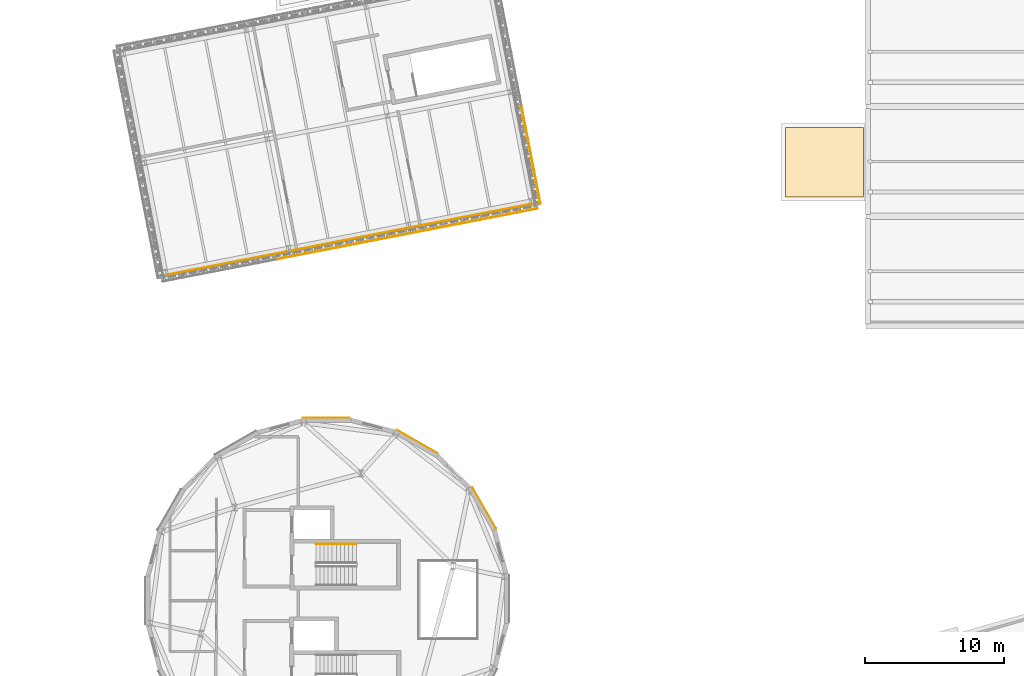
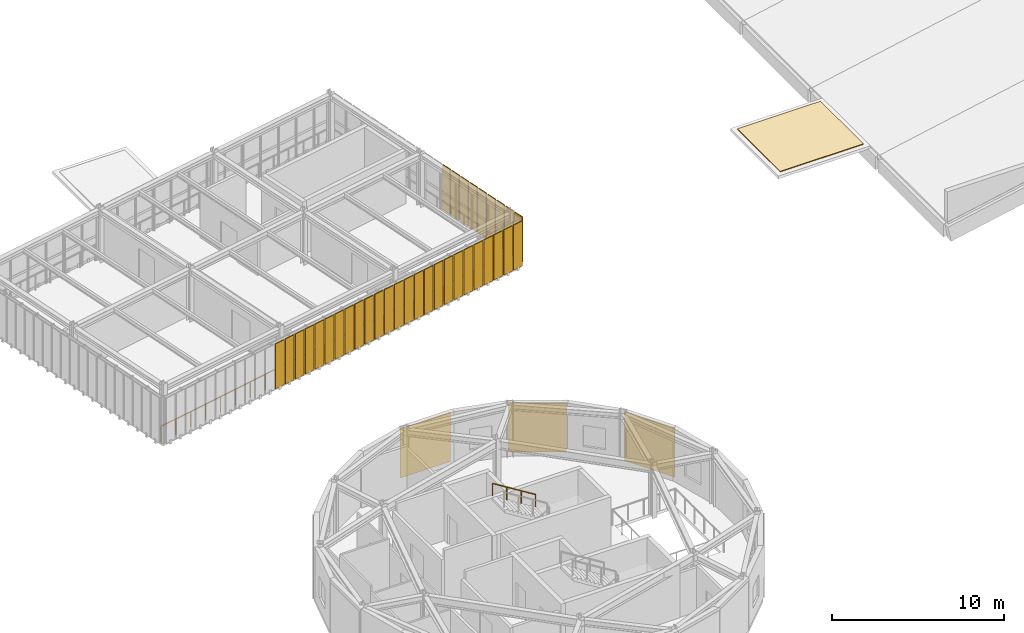
# One storey, part 41 of 44: 34 shading devices, 4 coverings, 2 railings.
"""IFC4 building model written with IfcOpenShell, lengths in metres."""

from ifc_helpers import new_model, si_unit, direction, frame, origin, origin_2d, place, context, subcontext, project, spatial, polyline, rectangle, circle, outline, extrude, material, layer, layer_set, type_object, element, save


model = new_model("IFC4")

# Units and contexts
model_context = context("Model", 3, precision=1e-05, world=origin(), true_north=direction((0.0, 1.0)))
body_context = subcontext(model_context, "Body", "Model", "MODEL_VIEW")
ifc_project = project(units=[si_unit("LENGTHUNIT", "METRE"), si_unit("AREAUNIT", "SQUARE_METRE"), si_unit("VOLUMEUNIT", "CUBIC_METRE"), si_unit("PLANEANGLEUNIT", "RADIAN"), si_unit("MASSUNIT", "GRAM", prefix="KILO")], contexts=[model_context])

# Site, building, storey
site_placement = place(None, origin())
site = spatial("IfcSite", under=ifc_project, at=site_placement, CompositionType="ELEMENT")
building_placement = place(site_placement, origin())
building = spatial("IfcBuilding", under=site, at=building_placement, Name="Varnklinge Art Gallery", CompositionType="ELEMENT")
storey_placement = place(building_placement, frame((0.0, 0.0, 13.679931640625)))
storey = spatial("IfcBuildingStorey", under=building, at=storey_placement, Name="L03", CompositionType="ELEMENT", Elevation=13.679931640625)

# Railing
ifc_material_1 = material(Name="Anodised Aluminium", Category="aluminium")
railing_type_1 = type_object("IfcRailingType", Name="BAL-01", PredefinedType="BALUSTRADE", material=ifc_material_1)
railing_1_placement = place(storey_placement, frame((63.52197265625, 61.7978515625, 0.0)))
element("IfcRailing", 1, at=railing_1_placement, inside=storey, type_object=railing_type_1, Name="BAL-V4B-L03-1-1", PredefinedType="BALUSTRADE", context=body_context, shape_type="SweptSolid", body=[
    extrude(circle(Radius=0.02392578125, at=origin_2d()), frame((0.0, 0.0, 1.11572265625), z_axis=(0.981627127192, 0.190809284787, 0.0), x_axis=(-0.190809284787, 0.981627127192, 0.0)), (0.0, 0.0, 1.0), 27.60009765625),
    extrude(circle(Radius=0.02099609375, at=origin_2d()), origin(), (0.0, 0.0, 1.0), 1.091796875),
    extrude(circle(Radius=0.02099609375, at=origin_2d()), frame((1.12890625, 0.219482421875, 0.0)), (0.0, 0.0, 1.0), 1.091796875),
    extrude(circle(Radius=0.02099609375, at=origin_2d()), frame((2.2578125, 0.43896484375, 0.0)), (0.0, 0.0, 1.0), 1.091796875),
    extrude(circle(Radius=0.02099609375, at=origin_2d()), frame((3.38671875, 0.658203125, 0.0)), (0.0, 0.0, 1.0), 1.091796875),
    extrude(circle(Radius=0.02099609375, at=origin_2d()), frame((4.515625, 0.877685546875, 0.0)), (0.0, 0.0, 1.0), 1.091796875),
    extrude(circle(Radius=0.02099609375, at=origin_2d()), frame((5.644287109375, 1.09716796875, 0.0)), (0.0, 0.0, 1.0), 1.091796875),
    extrude(circle(Radius=0.02099609375, at=origin_2d()), frame((6.773193359375, 1.316650390625, 0.0)), (0.0, 0.0, 1.0), 1.091796875),
    extrude(circle(Radius=0.02099609375, at=origin_2d()), frame((7.902099609375, 1.5361328125, 0.0)), (0.0, 0.0, 1.0), 1.091796875),
    extrude(circle(Radius=0.02099609375, at=origin_2d()), frame((9.031005859375, 1.75537109375, 0.0)), (0.0, 0.0, 1.0), 1.091796875),
    extrude(circle(Radius=0.02099609375, at=origin_2d()), frame((10.159912109375, 1.974853515625, 0.0)), (0.0, 0.0, 1.0), 1.091796875),
    extrude(circle(Radius=0.02099609375, at=origin_2d()), frame((11.288818359375, 2.1943359375, 0.0)), (0.0, 0.0, 1.0), 1.091796875),
    extrude(circle(Radius=0.02099609375, at=origin_2d()), frame((12.417724609375, 2.413818359375, 0.0)), (0.0, 0.0, 1.0), 1.091796875),
    extrude(circle(Radius=0.02099609375, at=origin_2d()), frame((13.54638671875, 2.63330078125, 0.0)), (0.0, 0.0, 1.0), 1.091796875),
    extrude(circle(Radius=0.02099609375, at=origin_2d()), frame((14.67529296875, 2.8525390625, 0.0)), (0.0, 0.0, 1.0), 1.091796875),
    extrude(circle(Radius=0.02099609375, at=origin_2d()), frame((15.80419921875, 3.072021484375, 0.0)), (0.0, 0.0, 1.0), 1.091796875),
    extrude(circle(Radius=0.02099609375, at=origin_2d()), frame((16.93310546875, 3.29150390625, 0.0)), (0.0, 0.0, 1.0), 1.091796875),
    extrude(circle(Radius=0.02099609375, at=origin_2d()), frame((18.06201171875, 3.510986328125, 0.0)), (0.0, 0.0, 1.0), 1.091796875),
    extrude(circle(Radius=0.02099609375, at=origin_2d()), frame((19.19091796875, 3.730224609375, 0.0)), (0.0, 0.0, 1.0), 1.091796875),
    extrude(circle(Radius=0.02099609375, at=origin_2d()), frame((20.31982421875, 3.94970703125, 0.0)), (0.0, 0.0, 1.0), 1.091796875),
    extrude(circle(Radius=0.02099609375, at=origin_2d()), frame((21.44873046875, 4.169189453125, 0.0)), (0.0, 0.0, 1.0), 1.091796875),
    extrude(circle(Radius=0.02099609375, at=origin_2d()), frame((22.57763671875, 4.388671875, 0.0)), (0.0, 0.0, 1.0), 1.091796875),
    extrude(circle(Radius=0.02099609375, at=origin_2d()), frame((23.706298828125, 4.608154296875, 0.0)), (0.0, 0.0, 1.0), 1.091796875),
    extrude(circle(Radius=0.02099609375, at=origin_2d()), frame((24.835205078125, 4.827392578125, 0.0)), (0.0, 0.0, 1.0), 1.091796875),
    extrude(circle(Radius=0.02099609375, at=origin_2d()), frame((25.964111328125, 5.046875, 0.0)), (0.0, 0.0, 1.0), 1.091796875),
    extrude(circle(Radius=0.02099609375, at=origin_2d()), frame((27.093017578125, 5.266357421875, 0.0)), (0.0, 0.0, 1.0), 1.091796875),
])

# Coverings
ifc_material_2 = material(Name="Pre-weathered Zinc", Category="metal")
ifc_layer_1 = layer(ifc_material_2, 0.02490234375)
ifc_layer_set_1 = layer_set([ifc_layer_1], Name="Pre-weathered Zinc")
covering_type_1 = type_object("IfcCoveringType", Name="CLD-ZNC", PredefinedType="CLADDING", material=ifc_layer_set_1)
covering_1_placement = place(storey_placement, frame((75.419921875, 51.599609375, 0.0498046875), z_axis=(0.0, 0.0, 1.0), x_axis=(1.0, 0.0, 0.0)))
element("IfcCovering", 2, at=covering_1_placement, inside=storey, type_object=covering_type_1, Name="L03 Brushed Zinc Drum Cladding EW-V4D-L03-19", PredefinedType="CLADDING", context=body_context, shape_type="SweptSolid", body=[
    extrude(rectangle(XDim=3.383544921875, YDim=0.02490234375, at=origin_2d()), origin(), (0.0, 0.0, 1.0), 3.510009765625),
])
for number, where, z_axis, x_axis, name in (
    (3, (81.98046875, 49.884521484375, 0.0498046875), (0.0, 0.0, 1.0), (0.866025403784, -0.5, 0.0), "L03 Brushed Zinc Drum Cladding EW-V4D-L03-21"),
    (4, (86.8046875, 45.119140625, 0.0498046875), (0.0, 0.0, 1.0), (0.5, -0.866025403784, 0.0), "L03 Brushed Zinc Drum Cladding EW-V4D-L03-23"),
):
    element("IfcCovering", number, at=place(storey_placement, frame(where, z_axis=z_axis, x_axis=x_axis)), inside=storey, type_object=covering_type_1, Name=name, PredefinedType="CLADDING", context=body_context, shape_type="SweptSolid", body=[
        extrude(rectangle(XDim=3.3837890625, YDim=0.02490234375, at=origin_2d()), origin(), (0.0, 0.0, 1.0), 3.510009765625),
    ])

# Railing
ifc_material_3 = material(Name="Steel S355", Category="steel")
railing_type_2 = type_object("IfcRailingType", Name="HR-01", PredefinedType="HANDRAIL", material=ifc_material_3)
railing_2_placement = place(storey_placement, frame((77.60009765625, 42.510009765625, 2.16015625)))
element("IfcRailing", 5, at=railing_2_placement, inside=storey, type_object=railing_type_2, Name="L03 ST-02 stair handrail 2", PredefinedType="HANDRAIL", context=body_context, shape_type="SweptSolid", body=[
    extrude(circle(Radius=0.02392578125, at=origin_2d()), frame((0.0, 0.0, 0.8759765625), z_axis=(-0.849677739116, 0.0, 0.527302322819), x_axis=(0.0, -1.0, 0.0)), (0.0, 0.0, 1.0), 3.413330078125),
    extrude(circle(Radius=0.02099609375, at=origin_2d()), origin(), (0.0, 0.0, 1.0), 0.851806640625),
    extrude(circle(Radius=0.02099609375, at=origin_2d()), frame((-0.966796875, 0.0, 0.599853515625)), (0.0, 0.0, 1.0), 0.851806640625),
    extrude(circle(Radius=0.02099609375, at=origin_2d()), frame((-1.933349609375, 0.0, 1.199951171875)), (0.0, 0.0, 1.0), 0.851806640625),
    extrude(circle(Radius=0.02099609375, at=origin_2d()), frame((-2.900146484375, 0.0, 1.7998046875)), (0.0, 0.0, 1.0), 0.851806640625),
])

# Covering
ifc_material_4 = material(Name="Polymer-Modified Bitumen Roofing", Category="membrane")
ifc_layer_2 = layer(ifc_material_4, 0.06005859375)
ifc_layer_set_2 = layer_set([ifc_layer_2], Name="Polymer-Modified Bitumen Roofing")
covering_type_2 = type_object("IfcCoveringType", Name="RFG-MEM", PredefinedType="ROOFING", material=ifc_layer_set_2)
covering_2_placement = place(storey_placement, origin())
element("IfcCovering", 6, at=covering_2_placement, inside=storey, type_object=covering_type_2, Name="L03 Roof Covering 09", PredefinedType="ROOFING", context=body_context, shape_type="SweptSolid", body=[
    extrude(outline(polyline([(108.5, 72.5), (108.5, 67.5), (114.10009765625, 67.5), (114.10009765625, 72.5), (108.5, 72.5)])), origin(), (0.0, 0.0, 1.0), 0.06005859375),
])

# Shading devices
ifc_material_5 = material(Name="Perforated Aluminium-Precast Lattice", Category="concrete")
ifc_layer_3 = layer(ifc_material_5, 0.06005859375)
ifc_layer_set_3 = layer_set([ifc_layer_3], Name="Perforated Aluminium-Precast Lattice")
shading_device_type = type_object("IfcShadingDeviceType", Name="SHD-LAT", PredefinedType="USERDEFINED", material=ifc_layer_set_3)
for number, where, z_axis, x_axis, name in (
    (7, (72.2529296875, 63.08740234375, 0.10009765625), (0.0, 0.0, 1.0), (0.981627183448, 0.190808995377, 0.0), "L03 Perforated Lattice Screen 1.2.3"),
    (8, (73.005615234375, 63.23388671875, 0.10009765625), (0.0, 0.0, 1.0), (0.981627183448, 0.190808995377, 0.0), "L03 Perforated Lattice Screen 1.2.4"),
    (9, (73.75830078125, 63.380126953125, 0.10009765625), (0.0, 0.0, 1.0), (0.981627183448, 0.190808995377, 0.0), "L03 Perforated Lattice Screen 1.2.5"),
    (10, (74.5107421875, 63.5263671875, 0.10009765625), (0.0, 0.0, 1.0), (0.981627183448, 0.190808995377, 0.0), "L03 Perforated Lattice Screen 1.2.6"),
    (11, (75.26318359375, 63.672607421875, 0.10009765625), (0.0, 0.0, 1.0), (0.981627183448, 0.190808995377, 0.0), "L03 Perforated Lattice Screen 1.2.7"),
    (12, (76.015869140625, 63.819091796875, 0.10009765625), (0.0, 0.0, 1.0), (0.981627183448, 0.190808995377, 0.0), "L03 Perforated Lattice Screen 1.2.8"),
    (13, (76.7685546875, 63.965087890625, 0.10009765625), (0.0, 0.0, 1.0), (0.981627183448, 0.190808995377, 0.0), "L03 Perforated Lattice Screen 1.2.9"),
    (14, (77.52099609375, 64.111572265625, 0.10009765625), (0.0, 0.0, 1.0), (0.981627183448, 0.190808995377, 0.0), "L03 Perforated Lattice Screen 1.3.1"),
    (15, (78.273681640625, 64.2578125, 0.10009765625), (0.0, 0.0, 1.0), (0.981627183448, 0.190808995377, 0.0), "L03 Perforated Lattice Screen 1.3.2"),
    (16, (79.026123046875, 64.404052734375, 0.10009765625), (0.0, 0.0, 1.0), (0.981627183448, 0.190808995377, 0.0), "L03 Perforated Lattice Screen 1.3.3"),
    (17, (79.77880859375, 64.55029296875, 0.10009765625), (0.0, 0.0, 1.0), (0.981627183448, 0.190808995377, 0.0), "L03 Perforated Lattice Screen 1.3.4"),
    (18, (80.531494140625, 64.69677734375, 0.10009765625), (0.0, 0.0, 1.0), (0.981627183448, 0.190808995377, 0.0), "L03 Perforated Lattice Screen 1.3.5"),
    (19, (81.283935546875, 64.843017578125, 0.10009765625), (0.0, 0.0, 1.0), (0.981627183448, 0.190808995377, 0.0), "L03 Perforated Lattice Screen 1.3.6"),
    (20, (82.03662109375, 64.9892578125, 0.10009765625), (0.0, 0.0, 1.0), (0.981627183448, 0.190808995377, 0.0), "L03 Perforated Lattice Screen 1.3.7"),
    (21, (82.789306640625, 65.135498046875, 0.10009765625), (0.0, 0.0, 1.0), (0.981627183448, 0.190808995377, 0.0), "L03 Perforated Lattice Screen 1.3.8"),
    (22, (83.541748046875, 65.28173828125, 0.10009765625), (0.0, 0.0, 1.0), (0.981627183448, 0.190808995377, 0.0), "L03 Perforated Lattice Screen 1.3.9"),
    (23, (84.294189453125, 65.427978515625, 0.10009765625), (0.0, 0.0, 1.0), (0.981627183448, 0.190808995377, 0.0), "L03 Perforated Lattice Screen 1.4.1"),
    (24, (85.046875, 65.574462890625, 0.10009765625), (0.0, 0.0, 1.0), (0.981627183448, 0.190808995377, 0.0), "L03 Perforated Lattice Screen 1.4.2"),
    (25, (85.799560546875, 65.720703125, 0.10009765625), (0.0, 0.0, 1.0), (0.981627183448, 0.190808995377, 0.0), "L03 Perforated Lattice Screen 1.4.3"),
    (26, (86.552001953125, 65.866943359375, 0.10009765625), (0.0, 0.0, 1.0), (0.981627183448, 0.190808995377, 0.0), "L03 Perforated Lattice Screen 1.4.4"),
    (27, (87.3046875, 66.01318359375, 0.10009765625), (0.0, 0.0, 1.0), (0.981627183448, 0.190808995377, 0.0), "L03 Perforated Lattice Screen 1.4.5"),
    (28, (88.05712890625, 66.159423828125, 0.10009765625), (0.0, 0.0, 1.0), (0.981627183448, 0.190808995377, 0.0), "L03 Perforated Lattice Screen 1.4.6"),
    (29, (88.809814453125, 66.305908203125, 0.10009765625), (0.0, 0.0, 1.0), (0.981627183448, 0.190808995377, 0.0), "L03 Perforated Lattice Screen 1.4.7"),
    (30, (89.5625, 66.4521484375, 0.10009765625), (0.0, 0.0, 1.0), (0.981627183448, 0.190808995377, 0.0), "L03 Perforated Lattice Screen 1.4.8"),
    (31, (90.31494140625, 66.598388671875, 0.10009765625), (0.0, 0.0, 1.0), (0.981627183448, 0.190808995377, 0.0), "L03 Perforated Lattice Screen 1.4.9"),
    (32, (90.788818359375, 67.322021484375, 0.10009765625), (0.0, 0.0, 1.0), (-0.190808995377, 0.981627183448, 0.0), "L03 Perforated Lattice Screen 2.1.1"),
    (33, (90.63623046875, 68.107421875, 0.10009765625), (0.0, 0.0, 1.0), (-0.190808995377, 0.981627183448, 0.0), "L03 Perforated Lattice Screen 2.1.2"),
    (34, (90.483642578125, 68.892578125, 0.10009765625), (0.0, 0.0, 1.0), (-0.190808995377, 0.981627183448, 0.0), "L03 Perforated Lattice Screen 2.1.3"),
    (35, (90.3310546875, 69.677978515625, 0.10009765625), (0.0, 0.0, 1.0), (-0.190808995377, 0.981627183448, 0.0), "L03 Perforated Lattice Screen 2.1.4"),
    (36, (90.17822265625, 70.46337890625, 0.10009765625), (0.0, 0.0, 1.0), (-0.190808995377, 0.981627183448, 0.0), "L03 Perforated Lattice Screen 2.1.5"),
    (37, (90.025634765625, 71.24853515625, 0.10009765625), (0.0, 0.0, 1.0), (-0.190808995377, 0.981627183448, 0.0), "L03 Perforated Lattice Screen 2.1.6"),
    (38, (89.873046875, 72.033935546875, 0.10009765625), (0.0, 0.0, 1.0), (-0.190808995377, 0.981627183448, 0.0), "L03 Perforated Lattice Screen 2.1.7"),
    (39, (89.720458984375, 72.819091796875, 0.10009765625), (0.0, 0.0, 1.0), (-0.190808995377, 0.981627183448, 0.0), "L03 Perforated Lattice Screen 2.2.1"),
    (40, (89.56787109375, 73.6044921875, 0.10009765625), (0.0, 0.0, 1.0), (-0.190808995377, 0.981627183448, 0.0), "L03 Perforated Lattice Screen 2.2.2"),
):
    element("IfcShadingDevice", number, at=place(storey_placement, frame(where, z_axis=z_axis, x_axis=x_axis)), inside=storey, type_object=shading_device_type, Name=name, ObjectType="LATTICE SCREEN", PredefinedType="USERDEFINED", context=body_context, shape_type="SweptSolid", body=[
        extrude(rectangle(XDim=0.679931640625, YDim=0.06005859375, at=origin_2d()), origin(), (0.0, 0.0, 1.0), 3.2099609375),
    ])

save(model, "model.ifc")
